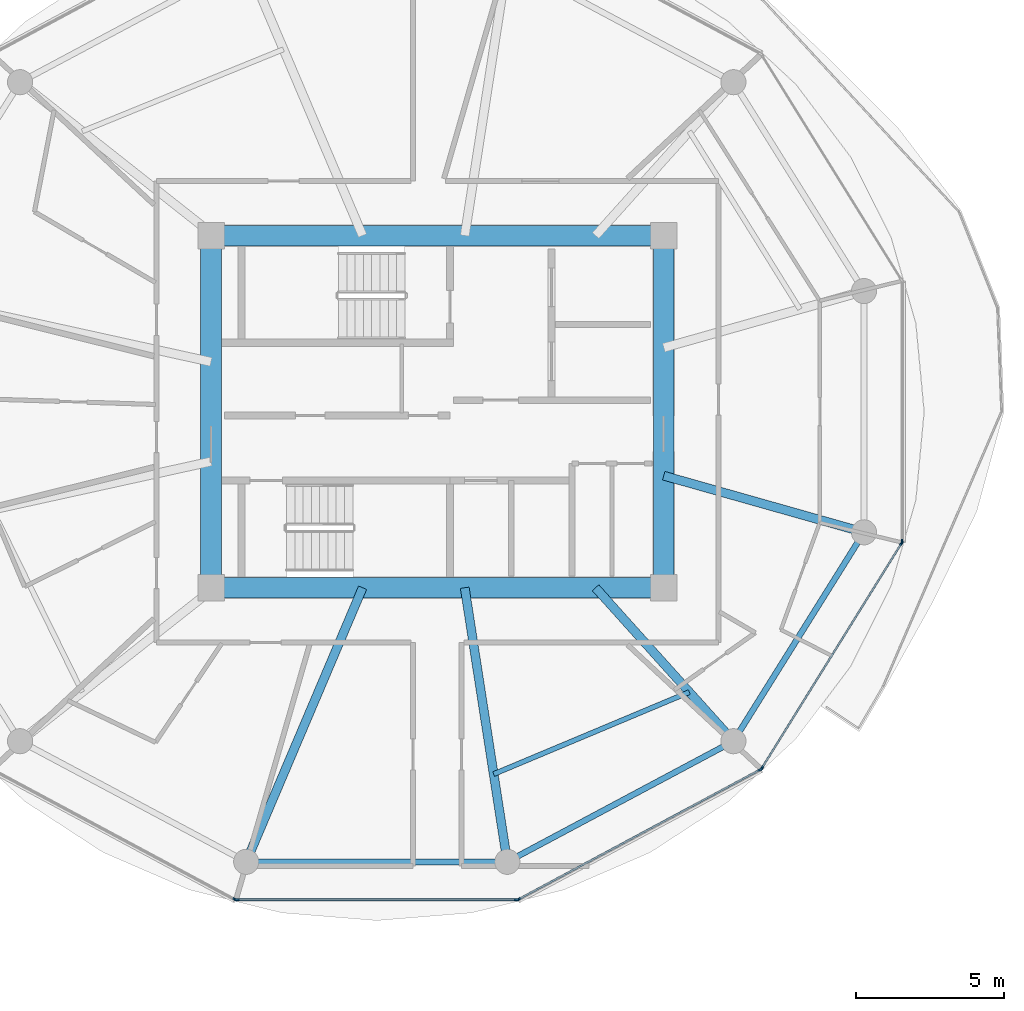
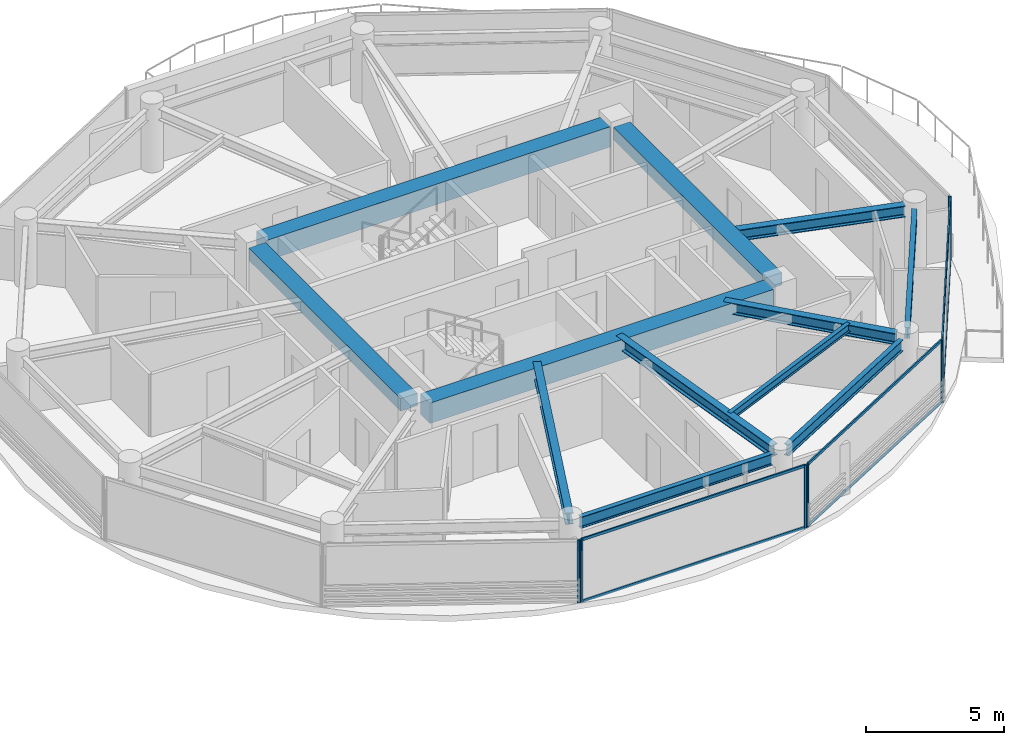
# One storey, part 10 of 24: 14 members, 12 beams, 5 elements without a shape of their own.
"""IFC4 building model written with IfcOpenShell, lengths in metres."""

from ifc_helpers import new_model, si_unit, direction, frame, origin, origin_2d, place, context, subcontext, project, spatial, rectangle, i_section, extrude, source, transform, mapped, material, layer, layer_set, material_profile, profile_set, type_object, type_shapes, element, aggregate, save


model = new_model("IFC4")

# Units and contexts
model_context = context("Model", 3, precision=1e-05, world=origin(), true_north=direction((0.0, 1.0)))
body_context = subcontext(model_context, "Body", "Model", "MODEL_VIEW")
ifc_project = project(units=[si_unit("LENGTHUNIT", "METRE"), si_unit("AREAUNIT", "SQUARE_METRE"), si_unit("VOLUMEUNIT", "CUBIC_METRE"), si_unit("PLANEANGLEUNIT", "RADIAN"), si_unit("MASSUNIT", "GRAM", prefix="KILO")], contexts=[model_context])

# Site, building, storey
site_placement = place(None, origin())
site = spatial("IfcSite", under=ifc_project, at=site_placement, CompositionType="ELEMENT")
building_placement = place(site_placement, origin())
building = spatial("IfcBuilding", under=site, at=building_placement, Name="Norrkilde Senior Care Towers", CompositionType="ELEMENT")
storey_placement = place(building_placement, frame((0.0, 0.0, 108.449951171875)))
storey = spatial("IfcBuildingStorey", under=building, at=storey_placement, Name="L33", CompositionType="ELEMENT", Elevation=108.449951171875)

# Beams
ifc_material_1 = material(Name="Concrete C60/75", Category="concrete")
ifc_material_profile_1 = material_profile(ifc_material_1, rectangle(XDim=0.699951171875, YDim=0.89990234375, at=origin_2d()), Name="RC BM 700x900")
ifc_profile_set_1 = profile_set([ifc_material_profile_1], Name="Concrete C60/75")
beam_type_1 = type_object("IfcBeamType", Name="Core Coupling Girder 700x900", PredefinedType="USERDEFINED", material=ifc_profile_set_1)
shared_shape_1 = source(origin(), body_context, "Body", "SweptSolid", [
    extrude(rectangle(XDim=0.699951171875, YDim=0.89990234375, at=origin_2d()), origin(), (0.0, 0.0, 1.0), 14.43994140625),
])
type_shapes(beam_type_1, [shared_shape_1])
for number, where, z_axis, x_axis, name in (
    (1, (20.780029296875, 5.949951171875, 2.340087890625), (1.0, 0.0, 0.0), (0.0, 1.0, 0.0), "L33 Core E N Coupling Girder"),
    (2, (20.780029296875, -5.949951171875, 2.340087890625), (1.0, 0.0, 0.0), (0.0, 1.0, 0.0), "L33 Core E S Coupling Girder"),
):
    element("IfcBeam", number, at=place(storey_placement, frame(where, z_axis=z_axis, x_axis=x_axis)), inside=storey, type_object=beam_type_1, Name=name, ObjectType="GIRDER", PredefinedType="USERDEFINED", context=body_context, shape_type="MappedRepresentation", body=[
        mapped(shared_shape_1, transform((0.0, 0.0, 0.0), x_axis=(1.0, 0.0, 0.0), y_axis=(0.0, 1.0, 0.0), z_axis=(0.0, 0.0, 1.0), scale=1.0)),
    ])
ifc_material_profile_2 = material_profile(ifc_material_1, rectangle(XDim=0.699951171875, YDim=0.550048828125, at=origin_2d()), Name="RC BM 700x550")
ifc_profile_set_2 = profile_set([ifc_material_profile_2], Name="Concrete C60/75")
beam_type_2 = type_object("IfcBeamType", Name="Core Portal Coupling Beam 700x550", PredefinedType="USERDEFINED", material=ifc_profile_set_2)
shared_shape_2 = source(origin(), body_context, "Body", "SweptSolid", [
    extrude(rectangle(XDim=0.699951171875, YDim=0.550048828125, at=origin_2d()), origin(), (0.0, 0.0, 1.0), 11.0400390625),
])
type_shapes(beam_type_2, [shared_shape_2])
for number, where, z_axis, x_axis, name in (
    (3, (20.35009765625, -5.52001953125, 2.51513671875), (0.0, 1.0, 0.0), (-1.0, 0.0, 0.0), "L33 Core E W Coupling Girder"),
    (4, (35.64990234375, -5.52001953125, 2.51513671875), (0.0, 1.0, 0.0), (-1.0, 0.0, 0.0), "L33 Core E E Coupling Girder"),
):
    element("IfcBeam", number, at=place(storey_placement, frame(where, z_axis=z_axis, x_axis=x_axis)), inside=storey, type_object=beam_type_2, Name=name, ObjectType="GIRDER", PredefinedType="USERDEFINED", context=body_context, shape_type="MappedRepresentation", body=[
        mapped(shared_shape_2, transform((0.0, 0.0, 0.0), x_axis=(1.0, 0.0, 0.0), y_axis=(0.0, 1.0, 0.0), z_axis=(0.0, 0.0, 1.0), scale=1.0)),
    ])
ifc_material_2 = material(Name="Steel S355", Category="steel")
ifc_material_profile_3 = material_profile(ifc_material_2, i_section(OverallWidth=0.199951171875, OverallDepth=0.5, WebThickness=0.01025390625, FlangeThickness=0.01611328125, FilletRadius=0.02099609375, at=origin_2d()), Name="IPE 500")
ifc_profile_set_3 = profile_set([ifc_material_profile_3], Name="Steel S355")
beam_type_3 = type_object("IfcBeamType", Name="Perimeter Ring Spandrel Z2 IPE500", PredefinedType="SPANDREL", material=ifc_profile_set_3)
shared_shape_3 = source(origin(), body_context, "Body", "SweptSolid", [
    extrude(i_section(OverallWidth=0.199951171875, OverallDepth=0.5, WebThickness=0.01025390625, FlangeThickness=0.01611328125, FilletRadius=0.02099609375, at=origin_2d()), origin(), (0.0, 0.0, 1.0), 7.892333984375),
])
beam_1_placement = place(storey_placement, frame((30.70263671875, -15.0322265625, 2.5400390625), z_axis=(0.882350372282, 0.47059305194, 0.0), x_axis=(-0.47059305194, 0.882350372282, 0.0)))
element("IfcBeam", 5, at=beam_1_placement, inside=storey, type_object=beam_type_3, Name="L33 Drum E Perimeter Spandrel 10", PredefinedType="SPANDREL", context=body_context, shape_type="MappedRepresentation", body=[
    mapped(shared_shape_3, transform((0.0, 0.0, 0.0), x_axis=(1.0, 0.0, 0.0), y_axis=(0.0, 1.0, 0.0), z_axis=(0.0, 0.0, 1.0), scale=1.0)),
])
shared_shape_4 = source(origin(), body_context, "Body", "SweptSolid", [
    extrude(i_section(OverallWidth=0.199951171875, OverallDepth=0.5, WebThickness=0.01025390625, FlangeThickness=0.01611328125, FilletRadius=0.02099609375, at=origin_2d()), origin(), (0.0, 0.0, 1.0), 8.0556640625),
])
beam_2_placement = place(storey_placement, frame((21.922119140625, -15.21337890625, 2.5400390625), z_axis=(1.0, 0.0, 0.0), x_axis=(0.0, 1.0, 0.0)))
element("IfcBeam", 6, at=beam_2_placement, inside=storey, type_object=beam_type_3, Name="L33 Drum E Perimeter Spandrel 09", PredefinedType="SPANDREL", context=body_context, shape_type="MappedRepresentation", body=[
    mapped(shared_shape_4, transform((0.0, 0.0, 0.0), x_axis=(1.0, 0.0, 0.0), y_axis=(0.0, 1.0, 0.0), z_axis=(0.0, 0.0, 1.0), scale=1.0)),
])
ifc_material_profile_4 = material_profile(ifc_material_2, i_section(OverallWidth=0.300048828125, OverallDepth=0.5, WebThickness=0.014404296875, FlangeThickness=0.028076171875, FilletRadius=0.027099609375, at=origin_2d()), Name="HEB 500")
ifc_profile_set_4 = profile_set([ifc_material_profile_4], Name="Steel S355")
beam_type_4 = type_object("IfcBeamType", Name="Radial Floor Beam Z2 HEB500", PredefinedType="BEAM", material=ifc_profile_set_4)
shared_shape_5 = source(origin(), body_context, "Body", "SweptSolid", [
    extrude(i_section(OverallWidth=0.300048828125, OverallDepth=0.5, WebThickness=0.014404296875, FlangeThickness=0.028076171875, FilletRadius=0.027099609375, at=origin_2d()), origin(), (0.0, 0.0, 1.0), 9.679443359375),
])
beam_3_placement = place(storey_placement, frame((25.472412109375, -5.949951171875, 2.5400390625), z_axis=(-0.390998033479, -0.920391513333, 0.0), x_axis=(0.920391513333, -0.390998033479, 0.0)))
element("IfcBeam", 7, at=beam_3_placement, inside=storey, type_object=beam_type_4, Name="L33 Drum E Radial Floor Beam 09", PredefinedType="BEAM", context=body_context, shape_type="MappedRepresentation", body=[
    mapped(shared_shape_5, transform((0.0, 0.0, 0.0), x_axis=(1.0, 0.0, 0.0), y_axis=(0.0, 1.0, 0.0), z_axis=(0.0, 0.0, 1.0), scale=1.0)),
])
shared_shape_6 = source(origin(), body_context, "Body", "SweptSolid", [
    extrude(i_section(OverallWidth=0.300048828125, OverallDepth=0.5, WebThickness=0.014404296875, FlangeThickness=0.028076171875, FilletRadius=0.027099609375, at=origin_2d()), origin(), (0.0, 0.0, 1.0), 8.989501953125),
])
beam_4_placement = place(storey_placement, frame((28.924072265625, -5.949951171875, 2.5400390625), z_axis=(0.153471298636, -0.988153105796, 0.0), x_axis=(0.988153105796, 0.153471298636, 0.0)))
element("IfcBeam", 8, at=beam_4_placement, inside=storey, type_object=beam_type_4, Name="L33 Drum E Radial Floor Beam 10", PredefinedType="BEAM", context=body_context, shape_type="MappedRepresentation", body=[
    mapped(shared_shape_6, transform((0.0, 0.0, 0.0), x_axis=(1.0, 0.0, 0.0), y_axis=(0.0, 1.0, 0.0), z_axis=(0.0, 0.0, 1.0), scale=1.0)),
])
shared_shape_7 = source(origin(), body_context, "Body", "SweptSolid", [
    extrude(i_section(OverallWidth=0.199951171875, OverallDepth=0.5, WebThickness=0.01025390625, FlangeThickness=0.01611328125, FilletRadius=0.02099609375, at=origin_2d()), origin(), (0.0, 0.0, 1.0), 7.556396484375),
])
type_shapes(beam_type_3, [shared_shape_3, shared_shape_4, shared_shape_7])
beam_5_placement = place(storey_placement, frame((38.210205078125, -10.810546875, 2.5400390625), z_axis=(0.530004748437, 0.847994673706, 0.0), x_axis=(-0.847994673706, 0.530004748437, 0.0)))
element("IfcBeam", 9, at=beam_5_placement, inside=storey, type_object=beam_type_3, Name="L33 Drum E Perimeter Spandrel 11", PredefinedType="SPANDREL", context=body_context, shape_type="MappedRepresentation", body=[
    mapped(shared_shape_7, transform((0.0, 0.0, 0.0), x_axis=(1.0, 0.0, 0.0), y_axis=(0.0, 1.0, 0.0), z_axis=(0.0, 0.0, 1.0), scale=1.0)),
])
shared_shape_8 = source(origin(), body_context, "Body", "SweptSolid", [
    extrude(i_section(OverallWidth=0.300048828125, OverallDepth=0.5, WebThickness=0.014404296875, FlangeThickness=0.028076171875, FilletRadius=0.027099609375, at=origin_2d()), origin(), (0.0, 0.0, 1.0), 6.587890625),
])
beam_6_placement = place(storey_placement, frame((33.345947265625, -5.949951171875, 2.5400390625), z_axis=(0.668315438605, -0.743877997068, 0.0), x_axis=(0.743877997068, 0.668315438605, 0.0)))
element("IfcBeam", 10, at=beam_6_placement, inside=storey, type_object=beam_type_4, Name="L33 Drum E Radial Floor Beam 11", PredefinedType="BEAM", context=body_context, shape_type="MappedRepresentation", body=[
    mapped(shared_shape_8, transform((0.0, 0.0, 0.0), x_axis=(1.0, 0.0, 0.0), y_axis=(0.0, 1.0, 0.0), z_axis=(0.0, 0.0, 1.0), scale=1.0)),
])
shared_shape_9 = source(origin(), body_context, "Body", "SweptSolid", [
    extrude(i_section(OverallWidth=0.300048828125, OverallDepth=0.5, WebThickness=0.014404296875, FlangeThickness=0.028076171875, FilletRadius=0.027099609375, at=origin_2d()), origin(), (0.0, 0.0, 1.0), 6.6494140625),
])
type_shapes(beam_type_4, [shared_shape_5, shared_shape_6, shared_shape_8, shared_shape_9])
beam_7_placement = place(storey_placement, frame((35.64990234375, -2.162841796875, 2.5400390625), z_axis=(0.962289138357, -0.27202870106, 0.0), x_axis=(0.27202870106, 0.962289138357, 0.0)))
element("IfcBeam", 11, at=beam_7_placement, inside=storey, type_object=beam_type_4, Name="L33 Drum E Radial Floor Beam 12", PredefinedType="BEAM", context=body_context, shape_type="MappedRepresentation", body=[
    mapped(shared_shape_9, transform((0.0, 0.0, 0.0), x_axis=(1.0, 0.0, 0.0), y_axis=(0.0, 1.0, 0.0), z_axis=(0.0, 0.0, 1.0), scale=1.0)),
])
ifc_material_profile_5 = material_profile(ifc_material_2, i_section(OverallWidth=0.169921875, OverallDepth=0.360107421875, WebThickness=0.008056640625, FlangeThickness=0.0126953125, FilletRadius=0.01806640625, at=origin_2d()), Name="IPE 360")
ifc_profile_set_5 = profile_set([ifc_material_profile_5], Name="Steel S355")
beam_type_5 = type_object("IfcBeamType", Name="Secondary Floor Joist IPE360", PredefinedType="JOIST", material=ifc_profile_set_5)
shared_shape_10 = source(origin(), body_context, "Body", "SweptSolid", [
    extrude(i_section(OverallWidth=0.169921875, OverallDepth=0.360107421875, WebThickness=0.008056640625, FlangeThickness=0.0126953125, FilletRadius=0.01806640625, at=origin_2d()), origin(), (0.0, 0.0, 1.0), 7.169921875),
])
type_shapes(beam_type_5, [shared_shape_10])
beam_8_placement = place(storey_placement, frame((29.902587890625, -12.2490234375, 2.610107421875), z_axis=(0.922240600393, 0.386616444279, 0.0), x_axis=(-0.386616444279, 0.922240600393, 0.0)))
element("IfcBeam", 12, at=beam_8_placement, inside=storey, type_object=beam_type_5, Name="L33 Drum E Secondary Floor Joist 4", PredefinedType="JOIST", context=body_context, shape_type="MappedRepresentation", body=[
    mapped(shared_shape_10, transform((0.0, 0.0, 0.0), x_axis=(1.0, 0.0, 0.0), y_axis=(0.0, 1.0, 0.0), z_axis=(0.0, 0.0, 1.0), scale=1.0)),
])

# Curtain wall, member
ifc_material_3 = material(Name="Triple Low-E Insulated Glazing", Category="glass")
ifc_layer = layer(ifc_material_3, 0.195068359375)
ifc_layer_set = layer_set([ifc_layer], Name="Triple Low-E Insulated Glazing")
curtain_wall_type = type_object("IfcCurtainWallType", Name="CW3 Zone 2 Assisted Living Curtain Wall", PredefinedType="NOTDEFINED", material=ifc_layer_set)
curtain_wall_1_placement = place(storey_placement, origin())
curtain_wall_1 = element("IfcCurtainWall", 13, at=curtain_wall_1_placement, inside=storey, type_object=curtain_wall_type, Name="L33 Drum E Curtain Wall 07", PredefinedType="NOTDEFINED")
ifc_material_4 = material(Name="Anodised Aluminium", Category="aluminium")
ifc_material_profile_6 = material_profile(ifc_material_4, rectangle(XDim=0.06494140625, YDim=0.159912109375, at=origin_2d()), Name="ALU MULL 65x160")
ifc_profile_set_6 = profile_set([ifc_material_profile_6], Name="Anodised Aluminium")
member_type_1 = type_object("IfcMemberType", Name="Curtain Wall Mullion Z1-Z2 65x160", PredefinedType="MULLION", material=ifc_profile_set_6)
shared_shape_11 = source(origin(), body_context, "Body", "SweptSolid", [
    extrude(rectangle(XDim=0.06494140625, YDim=0.159912109375, at=origin_2d()), origin(), (0.0, 0.0, 1.0), 2.7900390625),
])
type_shapes(member_type_1, [shared_shape_11])
member_1_placement = place(storey_placement, frame((21.164306640625, -16.482666015625, 0.0), z_axis=(0.0, 0.0, 1.0), x_axis=(-0.472769402511, -0.881186184668, 0.0)))
member_1 = element("IfcMember", 14, at=member_1_placement, type_object=member_type_1, Name="CW-3 mullion 1", PredefinedType="MULLION", context=body_context, shape_type="MappedRepresentation", body=[
    mapped(shared_shape_11, transform((0.0, 0.0, 0.0), x_axis=(1.0, 0.0, 0.0), y_axis=(0.0, 1.0, 0.0), z_axis=(0.0, 0.0, 1.0), scale=1.0)),
])
aggregate(curtain_wall_1, [member_1])

# Curtain wall, members
curtain_wall_2_placement = place(storey_placement, origin())
curtain_wall_2 = element("IfcCurtainWall", 15, at=curtain_wall_2_placement, inside=storey, type_object=curtain_wall_type, Name="L33 Drum E Curtain Wall 08", PredefinedType="NOTDEFINED")
member_2_placement = place(storey_placement, frame((30.674560546875, -16.498046875, 0.0), z_axis=(0.0, 0.0, 1.0), x_axis=(0.0, -1.0, 0.0)))
member_2 = element("IfcMember", 16, at=member_2_placement, type_object=member_type_1, Name="CW-3 mullion 1", PredefinedType="MULLION", context=body_context, shape_type="MappedRepresentation", body=[
    mapped(shared_shape_11, transform((0.0, 0.0, 0.0), x_axis=(1.0, 0.0, 0.0), y_axis=(0.0, 1.0, 0.0), z_axis=(0.0, 0.0, 1.0), scale=1.0)),
])
member_3_placement = place(storey_placement, frame((21.225341796875, -16.498046875, 0.0), z_axis=(0.0, 0.0, 1.0), x_axis=(0.0, -1.0, 0.0)))
member_3 = element("IfcMember", 17, at=member_3_placement, type_object=member_type_1, Name="CW-3 mullion 2", PredefinedType="MULLION", context=body_context, shape_type="MappedRepresentation", body=[
    mapped(shared_shape_11, transform((0.0, 0.0, 0.0), x_axis=(1.0, 0.0, 0.0), y_axis=(0.0, 1.0, 0.0), z_axis=(0.0, 0.0, 1.0), scale=1.0)),
])

curtain_wall_3_placement = place(storey_placement, origin())
curtain_wall_3 = element("IfcCurtainWall", 18, at=curtain_wall_3_placement, inside=storey, type_object=curtain_wall_type, Name="L33 Drum E Curtain Wall 09", PredefinedType="NOTDEFINED")
member_4_placement = place(storey_placement, frame((38.91796875, -12.0927734375, 0.0), z_axis=(0.0, 0.0, 1.0), x_axis=(0.472769402511, -0.881186184668, 0.0)))
member_4 = element("IfcMember", 19, at=member_4_placement, type_object=member_type_1, Name="CW-3 mullion 1", PredefinedType="MULLION", context=body_context, shape_type="MappedRepresentation", body=[
    mapped(shared_shape_11, transform((0.0, 0.0, 0.0), x_axis=(1.0, 0.0, 0.0), y_axis=(0.0, 1.0, 0.0), z_axis=(0.0, 0.0, 1.0), scale=1.0)),
])
member_5_placement = place(storey_placement, frame((30.73583984375, -16.482666015625, 0.0), z_axis=(0.0, 0.0, 1.0), x_axis=(0.472769402511, -0.881186184668, 0.0)))
member_5 = element("IfcMember", 20, at=member_5_placement, type_object=member_type_1, Name="CW-3 mullion 2", PredefinedType="MULLION", context=body_context, shape_type="MappedRepresentation", body=[
    mapped(shared_shape_11, transform((0.0, 0.0, 0.0), x_axis=(1.0, 0.0, 0.0), y_axis=(0.0, 1.0, 0.0), z_axis=(0.0, 0.0, 1.0), scale=1.0)),
])

curtain_wall_4_placement = place(storey_placement, origin())
curtain_wall_4 = element("IfcCurtainWall", 21, at=curtain_wall_4_placement, inside=storey, type_object=curtain_wall_type, Name="L33 Drum E Curtain Wall 10", PredefinedType="NOTDEFINED")
member_6_placement = place(storey_placement, frame((43.6865234375, -4.4482421875, 0.0), z_axis=(0.0, 0.0, 1.0), x_axis=(0.849410171862, -0.527733228002, 0.0)))
member_6 = element("IfcMember", 22, at=member_6_placement, type_object=member_type_1, Name="CW-3 mullion 1", PredefinedType="MULLION", context=body_context, shape_type="MappedRepresentation", body=[
    mapped(shared_shape_11, transform((0.0, 0.0, 0.0), x_axis=(1.0, 0.0, 0.0), y_axis=(0.0, 1.0, 0.0), z_axis=(0.0, 0.0, 1.0), scale=1.0)),
])
member_7_placement = place(storey_placement, frame((38.9638671875, -12.0498046875, 0.0), z_axis=(0.0, 0.0, 1.0), x_axis=(0.849410171862, -0.527733228002, 0.0)))
member_7 = element("IfcMember", 23, at=member_7_placement, type_object=member_type_1, Name="CW-3 mullion 2", PredefinedType="MULLION", context=body_context, shape_type="MappedRepresentation", body=[
    mapped(shared_shape_11, transform((0.0, 0.0, 0.0), x_axis=(1.0, 0.0, 0.0), y_axis=(0.0, 1.0, 0.0), z_axis=(0.0, 0.0, 1.0), scale=1.0)),
])

# Curtain wall, member
curtain_wall_5_placement = place(storey_placement, origin())
curtain_wall_5 = element("IfcCurtainWall", 24, at=curtain_wall_5_placement, inside=storey, type_object=curtain_wall_type, Name="L33 Drum E Curtain Wall 11", PredefinedType="NOTDEFINED")
member_8_placement = place(storey_placement, frame((43.70361328125, -4.38818359375, 0.0), z_axis=(0.0, 0.0, 1.0), x_axis=(1.0, 0.0, 0.0)))
member_8 = element("IfcMember", 25, at=member_8_placement, type_object=member_type_1, Name="CW-3 mullion 2", PredefinedType="MULLION", context=body_context, shape_type="MappedRepresentation", body=[
    mapped(shared_shape_11, transform((0.0, 0.0, 0.0), x_axis=(1.0, 0.0, 0.0), y_axis=(0.0, 1.0, 0.0), z_axis=(0.0, 0.0, 1.0), scale=1.0)),
])
aggregate(curtain_wall_5, [member_8])

# Member
ifc_material_profile_7 = material_profile(ifc_material_4, rectangle(XDim=0.06005859375, YDim=0.1201171875, at=origin_2d()), Name="ALU TRAN 60x120")
ifc_profile_set_7 = profile_set([ifc_material_profile_7], Name="Anodised Aluminium")
member_type_2 = type_object("IfcMemberType", Name="Curtain Wall Transom Typical 60x120", PredefinedType="USERDEFINED", material=ifc_profile_set_7)
shared_shape_12 = source(origin(), body_context, "Body", "SweptSolid", [
    extrude(rectangle(XDim=0.06005859375, YDim=0.1201171875, at=origin_2d()), origin(), (0.0, 0.0, 1.0), 8.88427734375),
])
member_9_placement = place(storey_placement, frame((43.66943359375, -4.475830078125, 0.030029296875), z_axis=(-0.527729466743, -0.849412508697, 0.0), x_axis=(0.849412508697, -0.527729466743, 0.0)))
member_9 = element("IfcMember", 26, at=member_9_placement, type_object=member_type_2, Name="CW-3 transom 1.1", ObjectType="TRANSOM", PredefinedType="USERDEFINED", context=body_context, shape_type="MappedRepresentation", body=[
    mapped(shared_shape_12, transform((0.0, 0.0, 0.0), x_axis=(1.0, 0.0, 0.0), y_axis=(0.0, 1.0, 0.0), z_axis=(0.0, 0.0, 1.0), scale=1.0)),
])

member_10_placement = place(storey_placement, frame((43.66943359375, -4.475830078125, 2.760009765625), z_axis=(-0.527729466743, -0.849412508697, 0.0), x_axis=(0.849412508697, -0.527729466743, 0.0)))
member_10 = element("IfcMember", 27, at=member_10_placement, type_object=member_type_2, Name="CW-3 transom 1.2", ObjectType="TRANSOM", PredefinedType="USERDEFINED", context=body_context, shape_type="MappedRepresentation", body=[
    mapped(shared_shape_12, transform((0.0, 0.0, 0.0), x_axis=(1.0, 0.0, 0.0), y_axis=(0.0, 1.0, 0.0), z_axis=(0.0, 0.0, 1.0), scale=1.0)),
])

aggregate(curtain_wall_4, [member_6, member_7, member_9, member_10])

shared_shape_13 = source(origin(), body_context, "Body", "SweptSolid", [
    extrude(rectangle(XDim=0.06005859375, YDim=0.1201171875, at=origin_2d()), origin(), (0.0, 0.0, 1.0), 9.220458984375),
])
member_11_placement = place(storey_placement, frame((38.889404296875, -12.108154296875, 0.030029296875), z_axis=(-0.881188517866, -0.472765053681, 0.0), x_axis=(0.472765053681, -0.881188517866, 0.0)))
member_11 = element("IfcMember", 28, at=member_11_placement, type_object=member_type_2, Name="CW-3 transom 1.1", ObjectType="TRANSOM", PredefinedType="USERDEFINED", context=body_context, shape_type="MappedRepresentation", body=[
    mapped(shared_shape_13, transform((0.0, 0.0, 0.0), x_axis=(1.0, 0.0, 0.0), y_axis=(0.0, 1.0, 0.0), z_axis=(0.0, 0.0, 1.0), scale=1.0)),
])

member_12_placement = place(storey_placement, frame((38.889404296875, -12.108154296875, 2.760009765625), z_axis=(-0.881188517866, -0.472765053681, 0.0), x_axis=(0.472765053681, -0.881188517866, 0.0)))
member_12 = element("IfcMember", 29, at=member_12_placement, type_object=member_type_2, Name="CW-3 transom 1.2", ObjectType="TRANSOM", PredefinedType="USERDEFINED", context=body_context, shape_type="MappedRepresentation", body=[
    mapped(shared_shape_13, transform((0.0, 0.0, 0.0), x_axis=(1.0, 0.0, 0.0), y_axis=(0.0, 1.0, 0.0), z_axis=(0.0, 0.0, 1.0), scale=1.0)),
])

aggregate(curtain_wall_3, [member_4, member_5, member_11, member_12])

shared_shape_14 = source(origin(), body_context, "Body", "SweptSolid", [
    extrude(rectangle(XDim=0.06005859375, YDim=0.1201171875, at=origin_2d()), origin(), (0.0, 0.0, 1.0), 9.38427734375),
])
type_shapes(member_type_2, [shared_shape_12, shared_shape_13, shared_shape_14])
member_13_placement = place(storey_placement, frame((30.64208984375, -16.498046875, 0.030029296875), z_axis=(-1.0, 0.0, 0.0), x_axis=(0.0, -1.0, 0.0)))
member_13 = element("IfcMember", 30, at=member_13_placement, type_object=member_type_2, Name="CW-3 transom 1.1", ObjectType="TRANSOM", PredefinedType="USERDEFINED", context=body_context, shape_type="MappedRepresentation", body=[
    mapped(shared_shape_14, transform((0.0, 0.0, 0.0), x_axis=(1.0, 0.0, 0.0), y_axis=(0.0, 1.0, 0.0), z_axis=(0.0, 0.0, 1.0), scale=1.0)),
])

member_14_placement = place(storey_placement, frame((30.64208984375, -16.498046875, 2.760009765625), z_axis=(-1.0, 0.0, 0.0), x_axis=(0.0, -1.0, 0.0)))
member_14 = element("IfcMember", 31, at=member_14_placement, type_object=member_type_2, Name="CW-3 transom 1.2", ObjectType="TRANSOM", PredefinedType="USERDEFINED", context=body_context, shape_type="MappedRepresentation", body=[
    mapped(shared_shape_14, transform((0.0, 0.0, 0.0), x_axis=(1.0, 0.0, 0.0), y_axis=(0.0, 1.0, 0.0), z_axis=(0.0, 0.0, 1.0), scale=1.0)),
])

aggregate(curtain_wall_2, [member_2, member_3, member_13, member_14])

save(model, "model.ifc")
